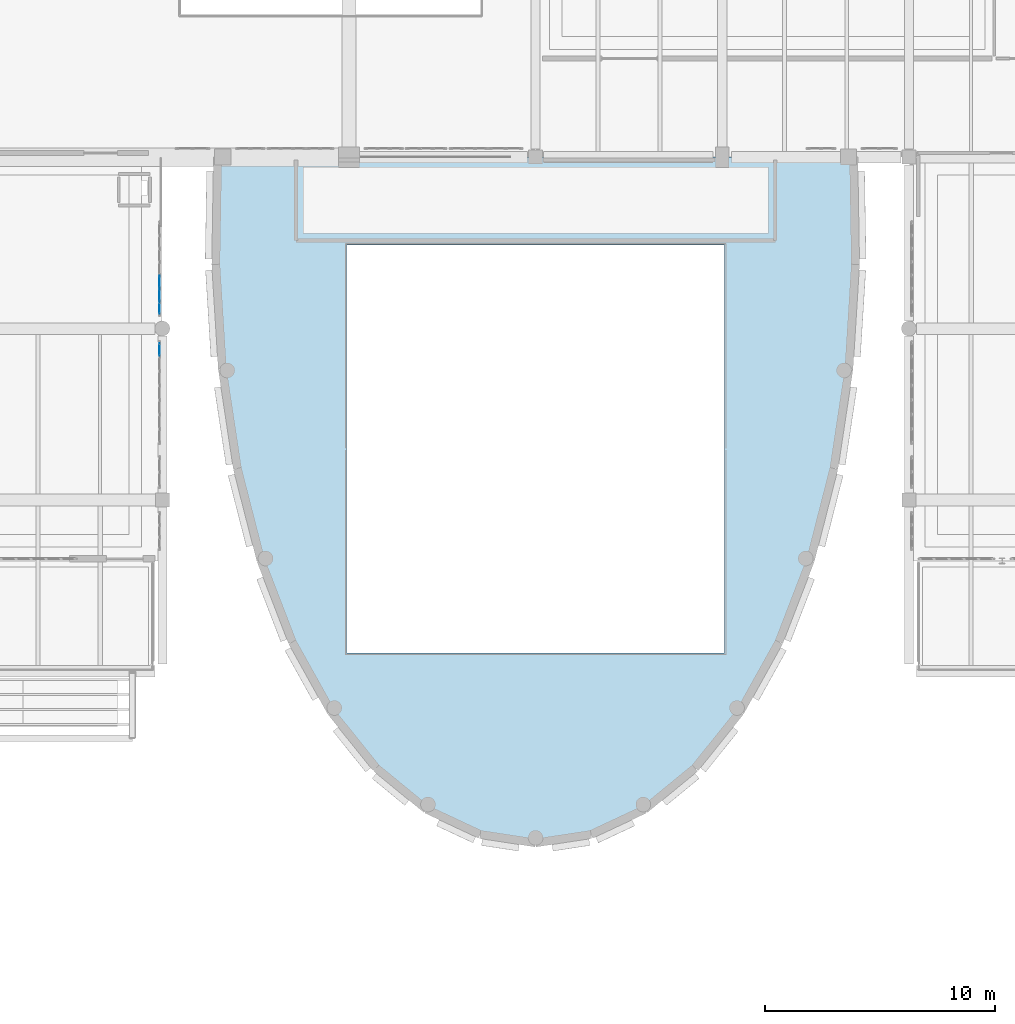
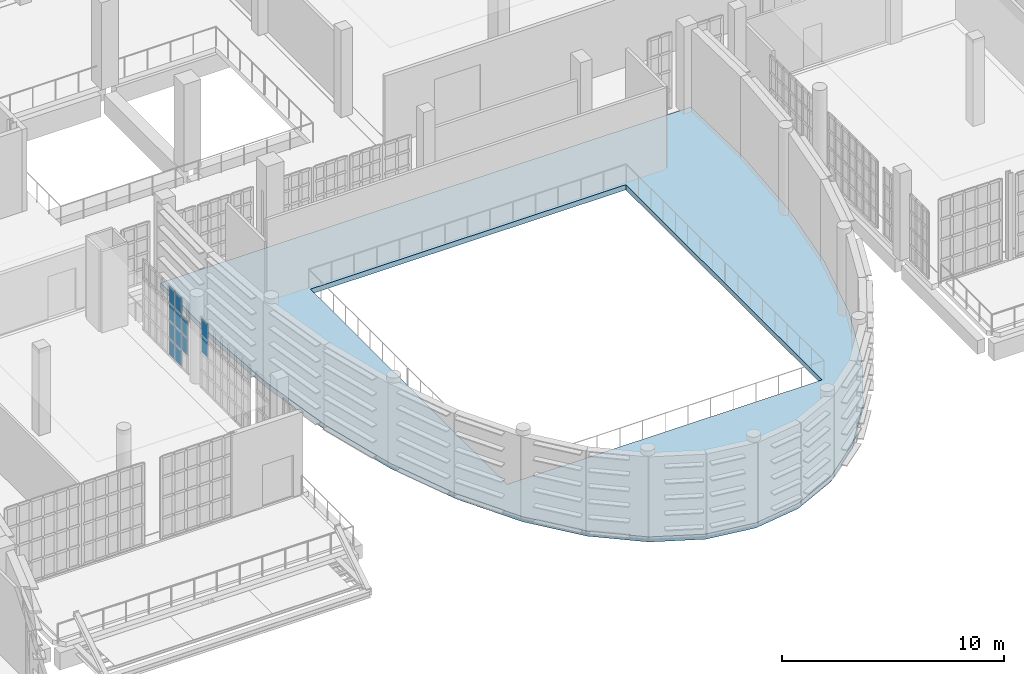
# One storey, part 74 of 104: 12 plates, 1 slab, 2 elements without a shape of their own.
"""IFC4 building model written with IfcOpenShell, lengths in metres."""

from ifc_helpers import new_model, si_unit, direction, frame, origin, origin_2d, place, context, subcontext, project, spatial, polyline, rectangle, outline, extrude, material, layer, layer_set, type_object, element, aggregate, save


model = new_model("IFC4")

# Units and contexts
model_context = context("Model", 3, precision=1e-05, world=origin(), true_north=direction((0.0, 1.0)))
body_context = subcontext(model_context, "Body", "Model", "MODEL_VIEW")
ifc_project = project(units=[si_unit("LENGTHUNIT", "METRE"), si_unit("AREAUNIT", "SQUARE_METRE"), si_unit("VOLUMEUNIT", "CUBIC_METRE"), si_unit("PLANEANGLEUNIT", "RADIAN"), si_unit("MASSUNIT", "GRAM", prefix="KILO")], contexts=[model_context])

# Site, building, storey
site_placement = place(None, origin())
site = spatial("IfcSite", under=ifc_project, at=site_placement, CompositionType="ELEMENT")
building_placement = place(site_placement, origin())
building = spatial("IfcBuilding", under=site, at=building_placement, Name="Kaelora Sail Theatre", CompositionType="ELEMENT")
storey_placement = place(building_placement, frame((0.0, 0.0, 5.39990234375)))
storey = spatial("IfcBuildingStorey", under=building, at=storey_placement, Name="L01", CompositionType="ELEMENT", Elevation=5.39990234375)

# Curtain wall, plates
ifc_material_1 = material(Name="Anodised aluminium and solar-control low-E IGU", Category="aluminium")
curtain_wall_type = type_object("IfcCurtainWallType", Name="ARC-CW-CW-FOY2", PredefinedType="NOTDEFINED", material=ifc_material_1)
curtain_wall_1_placement = place(storey_placement, origin())
curtain_wall_1 = element("IfcCurtainWall", 1, at=curtain_wall_1_placement, inside=storey, type_object=curtain_wall_type, Name="West Interstitial Foyer East Glazed Return L01-02", PredefinedType="NOTDEFINED")
ifc_material_2 = material(Name="Solar-control laminated low-E glass", Category="glass")
ifc_layer_1 = layer(ifc_material_2, 0.031982421875)
ifc_layer_set_1 = layer_set([ifc_layer_1], Name="Solar-control laminated low-E glass")
plate_type = type_object("IfcPlateType", Name="ARC-CW-PNL", PredefinedType="CURTAIN_PANEL", material=ifc_layer_set_1)
plate_1_placement = place(storey_placement, frame((74.280029296875, 52.666015625, 1.978515625), z_axis=(0.0, 0.0, 1.0), x_axis=(0.0, 1.0, 0.0)))
plate_1 = element("IfcPlate", 2, at=plate_1_placement, type_object=plate_type, Name="CW-FOY2 panel 7.3", PredefinedType="CURTAIN_PANEL", context=body_context, shape_type="SweptSolid", body=[
    extrude(rectangle(XDim=0.537841796875, YDim=0.031982421875, at=origin_2d()), origin(), (0.0, 0.0, 1.0), 0.90185546875),
])
plate_2_placement = place(storey_placement, frame((74.280029296875, 52.666015625, 2.950439453125), z_axis=(0.0, 0.0, 1.0), x_axis=(0.0, 1.0, 0.0)))
plate_2 = element("IfcPlate", 3, at=plate_2_placement, type_object=plate_type, Name="CW-FOY2 panel 7.4", PredefinedType="CURTAIN_PANEL", context=body_context, shape_type="SweptSolid", body=[
    extrude(rectangle(XDim=0.537841796875, YDim=0.031982421875, at=origin_2d()), origin(), (0.0, 0.0, 1.0), 0.86669921875),
])
aggregate(curtain_wall_1, [plate_1, plate_2])

curtain_wall_2_placement = place(storey_placement, origin())
curtain_wall_2 = element("IfcCurtainWall", 4, at=curtain_wall_2_placement, inside=storey, type_object=curtain_wall_type, Name="West Interstitial Foyer East Glazed Return L01-03", PredefinedType="NOTDEFINED")
plate_3_placement = place(storey_placement, frame((74.280029296875, 54.46826171875, 1.0068359375), z_axis=(0.0, 0.0, 1.0), x_axis=(0.0, 1.0, 0.0)))
plate_3 = element("IfcPlate", 5, at=plate_3_placement, type_object=plate_type, Name="CW-FOY2 panel 1.2", PredefinedType="CURTAIN_PANEL", context=body_context, shape_type="SweptSolid", body=[
    extrude(rectangle(XDim=0.486328125, YDim=0.031982421875, at=origin_2d()), origin(), (0.0, 0.0, 1.0), 0.901611328125),
])
plate_4_placement = place(storey_placement, frame((74.280029296875, 54.46826171875, 1.978515625), z_axis=(0.0, 0.0, 1.0), x_axis=(0.0, 1.0, 0.0)))
plate_4 = element("IfcPlate", 6, at=plate_4_placement, type_object=plate_type, Name="CW-FOY2 panel 1.3", PredefinedType="CURTAIN_PANEL", context=body_context, shape_type="SweptSolid", body=[
    extrude(rectangle(XDim=0.486328125, YDim=0.031982421875, at=origin_2d()), origin(), (0.0, 0.0, 1.0), 0.90185546875),
])
plate_5_placement = place(storey_placement, frame((74.280029296875, 55.029541015625, 0.070068359375), z_axis=(0.0, 0.0, 1.0), x_axis=(0.0, 1.0, 0.0)))
plate_5 = element("IfcPlate", 7, at=plate_5_placement, type_object=plate_type, Name="CW-FOY2 panel 2.1", PredefinedType="CURTAIN_PANEL", context=body_context, shape_type="SweptSolid", body=[
    extrude(rectangle(XDim=0.516357421875, YDim=0.031982421875, at=origin_2d()), origin(), (0.0, 0.0, 1.0), 0.86669921875),
])
plate_6_placement = place(storey_placement, frame((74.280029296875, 55.029541015625, 1.0068359375), z_axis=(0.0, 0.0, 1.0), x_axis=(0.0, 1.0, 0.0)))
plate_6 = element("IfcPlate", 8, at=plate_6_placement, type_object=plate_type, Name="CW-FOY2 panel 2.2", PredefinedType="CURTAIN_PANEL", context=body_context, shape_type="SweptSolid", body=[
    extrude(rectangle(XDim=0.516357421875, YDim=0.031982421875, at=origin_2d()), origin(), (0.0, 0.0, 1.0), 0.901611328125),
])
plate_7_placement = place(storey_placement, frame((74.280029296875, 55.029541015625, 1.978515625), z_axis=(0.0, 0.0, 1.0), x_axis=(0.0, 1.0, 0.0)))
plate_7 = element("IfcPlate", 9, at=plate_7_placement, type_object=plate_type, Name="CW-FOY2 panel 2.3", PredefinedType="CURTAIN_PANEL", context=body_context, shape_type="SweptSolid", body=[
    extrude(rectangle(XDim=0.516357421875, YDim=0.031982421875, at=origin_2d()), origin(), (0.0, 0.0, 1.0), 0.90185546875),
])
plate_8_placement = place(storey_placement, frame((74.280029296875, 55.029541015625, 2.950439453125), z_axis=(0.0, 0.0, 1.0), x_axis=(0.0, 1.0, 0.0)))
plate_8 = element("IfcPlate", 10, at=plate_8_placement, type_object=plate_type, Name="CW-FOY2 panel 2.4", PredefinedType="CURTAIN_PANEL", context=body_context, shape_type="SweptSolid", body=[
    extrude(rectangle(XDim=0.516357421875, YDim=0.031982421875, at=origin_2d()), origin(), (0.0, 0.0, 1.0), 0.86669921875),
])
plate_9_placement = place(storey_placement, frame((74.280029296875, 55.60595703125, 0.070068359375), z_axis=(0.0, 0.0, 1.0), x_axis=(0.0, 1.0, 0.0)))
plate_9 = element("IfcPlate", 11, at=plate_9_placement, type_object=plate_type, Name="CW-FOY2 panel 3.1", PredefinedType="CURTAIN_PANEL", context=body_context, shape_type="SweptSolid", body=[
    extrude(rectangle(XDim=0.516357421875, YDim=0.031982421875, at=origin_2d()), origin(), (0.0, 0.0, 1.0), 0.86669921875),
])
plate_10_placement = place(storey_placement, frame((74.280029296875, 55.60595703125, 1.0068359375), z_axis=(0.0, 0.0, 1.0), x_axis=(0.0, 1.0, 0.0)))
plate_10 = element("IfcPlate", 12, at=plate_10_placement, type_object=plate_type, Name="CW-FOY2 panel 3.2", PredefinedType="CURTAIN_PANEL", context=body_context, shape_type="SweptSolid", body=[
    extrude(rectangle(XDim=0.516357421875, YDim=0.031982421875, at=origin_2d()), origin(), (0.0, 0.0, 1.0), 0.901611328125),
])
plate_11_placement = place(storey_placement, frame((74.280029296875, 55.60595703125, 1.978515625), z_axis=(0.0, 0.0, 1.0), x_axis=(0.0, 1.0, 0.0)))
plate_11 = element("IfcPlate", 13, at=plate_11_placement, type_object=plate_type, Name="CW-FOY2 panel 3.3", PredefinedType="CURTAIN_PANEL", context=body_context, shape_type="SweptSolid", body=[
    extrude(rectangle(XDim=0.516357421875, YDim=0.031982421875, at=origin_2d()), origin(), (0.0, 0.0, 1.0), 0.90185546875),
])
plate_12_placement = place(storey_placement, frame((74.280029296875, 55.60595703125, 2.950439453125), z_axis=(0.0, 0.0, 1.0), x_axis=(0.0, 1.0, 0.0)))
plate_12 = element("IfcPlate", 14, at=plate_12_placement, type_object=plate_type, Name="CW-FOY2 panel 3.4", PredefinedType="CURTAIN_PANEL", context=body_context, shape_type="SweptSolid", body=[
    extrude(rectangle(XDim=0.516357421875, YDim=0.031982421875, at=origin_2d()), origin(), (0.0, 0.0, 1.0), 0.86669921875),
])
aggregate(curtain_wall_2, [plate_3, plate_4, plate_5, plate_6, plate_7, plate_8, plate_9, plate_10, plate_11, plate_12])

# Slab
ifc_material_3 = material(Name="Concrete C40/50", Category="concrete")
ifc_layer_2 = layer(ifc_material_3, 0.280029296875)
ifc_layer_set_2 = layer_set([ifc_layer_2], Name="Concrete C40/50")
slab_type = type_object("IfcSlabType", Name="STR-SLB-SL-FL280", PredefinedType="FLOOR", material=ifc_layer_set_2)
slab_placement = place(storey_placement, frame((0.0, 0.0, -0.27978515625)))
element("IfcSlab", 15, at=slab_placement, inside=storey, type_object=slab_type, Name="Studio Theatre floor slab (L01)", PredefinedType="FLOOR", context=body_context, shape_type="SweptSolid", body=[
    extrude(outline(polyline([(104.39990234375, 61.02001953125), (104.477294921875, 56.364501953125), (104.19482421875, 51.82373046875), (103.543212890625, 47.50927734375), (102.525390625, 43.527587890625), (101.158203125, 39.9765625), (99.472412109375, 36.943603515625), (97.51220703125, 34.503662109375), (95.334716796875, 32.716552734375), (93.006103515625, 31.62646484375), (90.60009765625, 31.260009765625), (88.194091796875, 31.62646484375), (85.865234375, 32.716552734375), (83.687744140625, 34.503662109375), (81.727783203125, 36.943603515625), (80.0419921875, 39.9765625), (78.6748046875, 43.527587890625), (77.656982421875, 47.50927734375), (77.005126953125, 51.82373046875), (76.72265625, 56.364501953125), (76.800048828125, 61.02001953125), (104.39990234375, 61.02001953125)]), holes=[polyline([(82.39990234375, 39.5), (98.800048828125, 39.5), (98.800048828125, 57.199951171875), (82.39990234375, 57.199951171875), (82.39990234375, 39.5)])]), origin(), (0.0, 0.0, 1.0), 0.27978515625),
])

save(model, "model.ifc")
